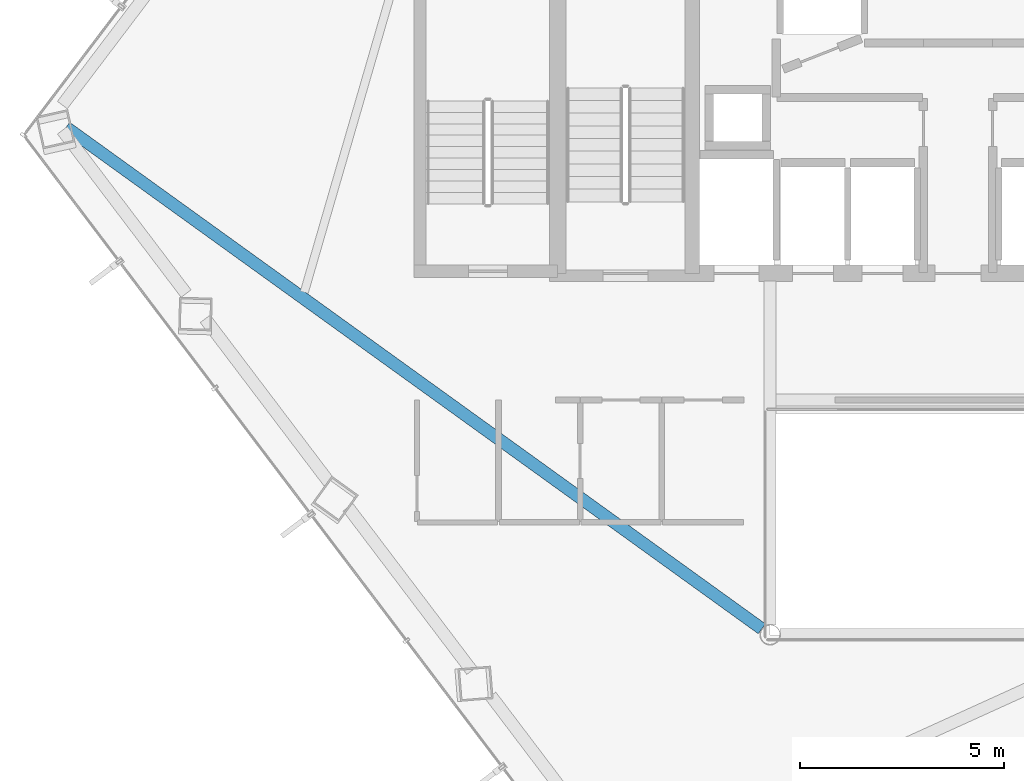
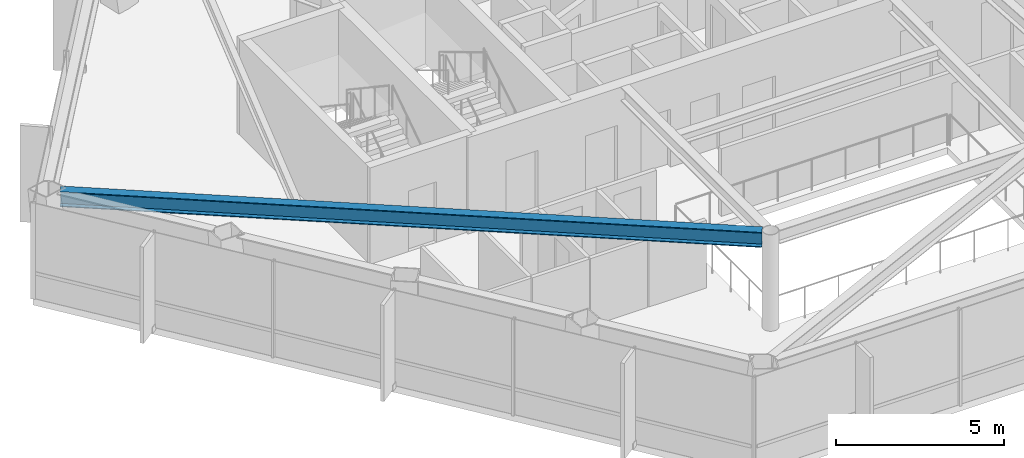
# One storey, part 5 of 30: 1 beam.
"""IFC4 building model written with IfcOpenShell, lengths in metres."""

from ifc_helpers import new_model, si_unit, direction, frame, origin, origin_2d, place, context, subcontext, project, spatial, i_section, extrude, material, material_profile, profile_set, type_object, element, save


model = new_model("IFC4")

# Units and contexts
model_context = context("Model", 3, precision=1e-05, world=origin(), true_north=direction((0.0, 1.0)))
body_context = subcontext(model_context, "Body", "Model", "MODEL_VIEW")
ifc_project = project(units=[si_unit("LENGTHUNIT", "METRE"), si_unit("AREAUNIT", "SQUARE_METRE"), si_unit("VOLUMEUNIT", "CUBIC_METRE"), si_unit("PLANEANGLEUNIT", "RADIAN"), si_unit("MASSUNIT", "GRAM", prefix="KILO")], contexts=[model_context])

# Site, building, storey
site_placement = place(None, origin())
site = spatial("IfcSite", under=ifc_project, at=site_placement, CompositionType="ELEMENT")
building_placement = place(site_placement, origin())
building = spatial("IfcBuilding", under=site, at=building_placement, Name="Zarrinselat Tower", CompositionType="ELEMENT")
storey_placement = place(building_placement, frame((0.0, 0.0, 130.89990234375)))
storey = spatial("IfcBuildingStorey", under=building, at=storey_placement, Name="L31", CompositionType="ELEMENT", Elevation=130.89990234375)

# Beam
ifc_material = material(Name="Steel S355J2", Category="steel")
ifc_material_profile = material_profile(ifc_material, i_section(OverallWidth=0.300048828125, OverallDepth=0.550048828125, WebThickness=0.014892578125, FlangeThickness=0.029052734375, at=origin_2d()), Name="HEB 550")
ifc_profile_set = profile_set([ifc_material_profile], Name="Steel S355J2")
beam_type = type_object("IfcBeamType", Name="BM-HEB550", PredefinedType="BEAM", material=ifc_profile_set)
beam_placement = place(storey_placement, frame((16.564208984375, 36.8251953125, 3.22509765625), z_axis=(0.811188179472, -0.58478520628, 0.0), x_axis=(0.58478520628, 0.811188179472, 0.0)))
element("IfcBeam", 1, at=beam_placement, inside=storey, type_object=beam_type, Name="L31 Radial Primary Girder RG06", PredefinedType="BEAM", context=body_context, shape_type="SweptSolid", body=[
    extrude(i_section(OverallWidth=0.300048828125, OverallDepth=0.550048828125, WebThickness=0.014892578125, FlangeThickness=0.029052734375, at=origin_2d()), origin(), (0.0, 0.0, 1.0), 20.99755859375),
])

save(model, "model.ifc")
